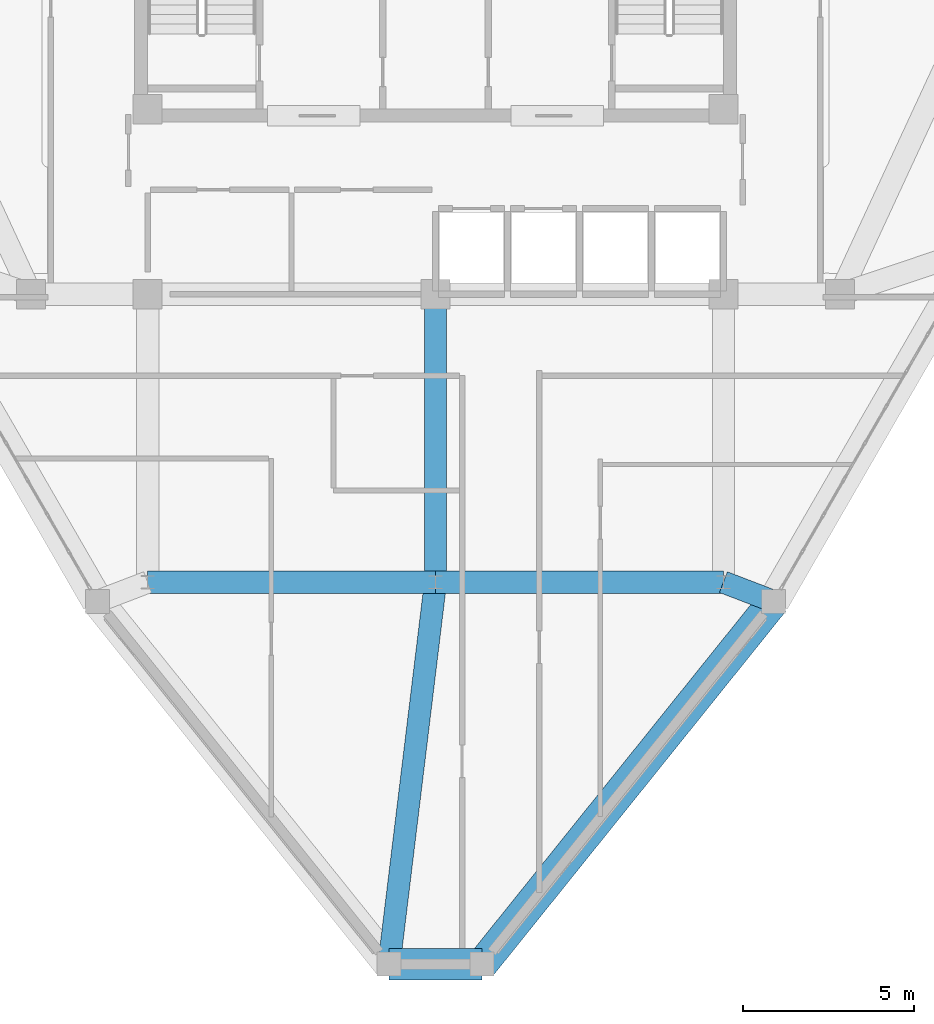
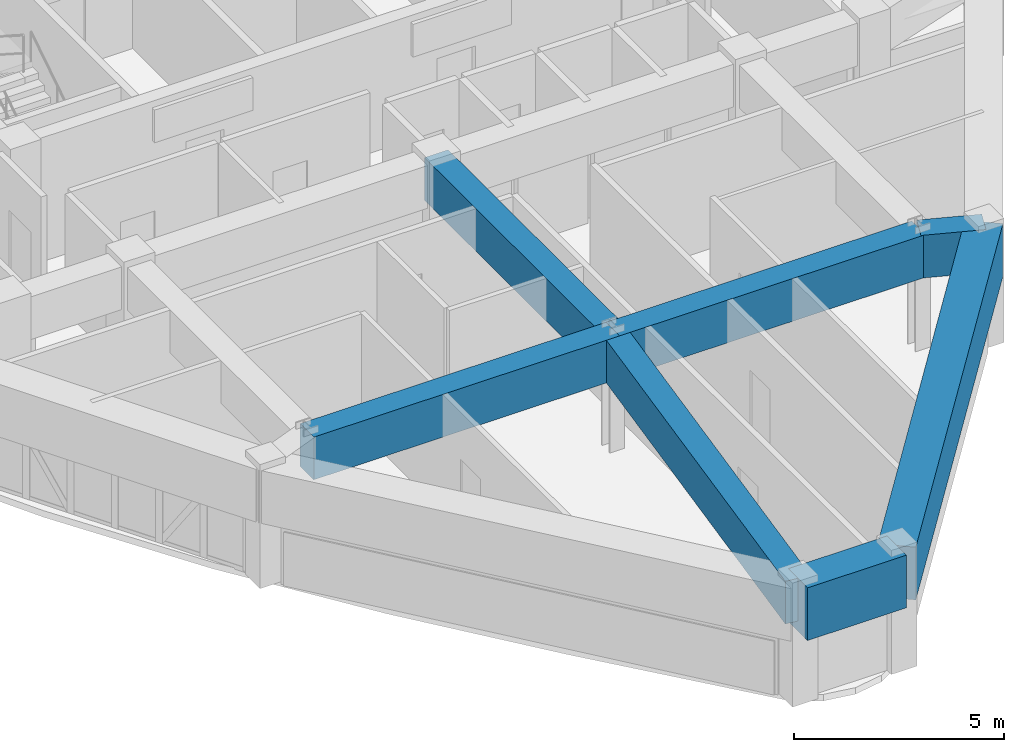
# One storey, part 3 of 14: 7 beams.
"""IFC4 building model written with IfcOpenShell, lengths in metres."""

from ifc_helpers import new_model, si_unit, derived_unit, direction, frame, origin, origin_2d, place, context, subcontext, project, spatial, rectangle, extrude, source, transform, mapped, material, material_profile, profile_set, type_object, element, save


model = new_model("IFC4")

# Units and contexts
model_context = context("Model", 3, precision=1e-05, world=origin(), true_north=direction((0.0, 1.0)))
body_context = subcontext(model_context, "Body", "Model", "MODEL_VIEW")
ifc_project = project(units=[si_unit("LENGTHUNIT", "METRE"), si_unit("AREAUNIT", "SQUARE_METRE"), si_unit("VOLUMEUNIT", "CUBIC_METRE"), si_unit("PLANEANGLEUNIT", "RADIAN"), si_unit("MASSUNIT", "GRAM", prefix="KILO"), derived_unit("THERMALTRANSMITTANCEUNIT", [(si_unit("POWERUNIT", "WATT"), 1), (si_unit("LENGTHUNIT", "METRE"), -2), (si_unit("THERMODYNAMICTEMPERATUREUNIT", "KELVIN"), -1)])], contexts=[model_context])

# Site, building, storey
site_placement = place(None, origin())
site = spatial("IfcSite", under=ifc_project, at=site_placement, CompositionType="ELEMENT")
building_placement = place(site_placement, origin())
building = spatial("IfcBuilding", under=site, at=building_placement, Name="Korsvarv Bourse and Concert Hall", CompositionType="ELEMENT")
storey_placement = place(building_placement, frame((0.0, 0.0, 253.800048828125)))
storey = spatial("IfcBuildingStorey", under=building, at=storey_placement, Name="L66", CompositionType="ELEMENT", Elevation=253.800048828125)

# Beams
ifc_material = material(Name="Concrete C50/60", Category="concrete")
ifc_material_profile_1 = material_profile(ifc_material, rectangle(XDim=0.64990234375, YDim=1.239990234375, at=origin_2d()), Name="RC-BM 650x1240")
ifc_profile_set_1 = profile_set([ifc_material_profile_1], Name="Concrete C50/60")
beam_type_1 = type_object("IfcBeamType", Name="BM-TR-SPN", PredefinedType="BEAM", material=ifc_profile_set_1)
shared_shape_1 = source(origin(), body_context, "Body", "SweptSolid", [
    extrude(rectangle(XDim=0.64990234375, YDim=1.239990234375, at=origin_2d()), origin(), (0.0, 0.0, 1.0), 8.39990234375),
])
for number, where, z_axis, x_axis, name in (
    (1, (27.60009765625, 24.0, 2.7900390625), (1.0, 0.0, 0.0), (0.0, 1.0, 0.0), "L66 beam B-TRS"),
    (2, (36.0, 24.0, 2.7900390625), (1.0, 0.0, 0.0), (0.0, 1.0, 0.0), "L66 beam B-TRS"),
    (3, (36.0, 24.0, 2.7900390625), (0.0, 1.0, 0.0), (-1.0, 0.0, 0.0), "L66 beam B-TRS"),
):
    element("IfcBeam", number, at=place(storey_placement, frame(where, z_axis=z_axis, x_axis=x_axis)), inside=storey, type_object=beam_type_1, Name=name, PredefinedType="BEAM", context=body_context, shape_type="MappedRepresentation", body=[
        mapped(shared_shape_1, transform((0.0, 0.0, 0.0), scale=1.0)),
    ])
ifc_material_profile_2 = material_profile(ifc_material, rectangle(XDim=0.919921875, YDim=1.530029296875, at=origin_2d()), Name="RC-BM 920x1530")
ifc_profile_set_2 = profile_set([ifc_material_profile_2], Name="Concrete C50/60")
beam_type_2 = type_object("IfcBeamType", Name="BM-TR-154", PredefinedType="BEAM", material=ifc_profile_set_2)
shared_shape_2 = source(origin(), body_context, "Body", "SweptSolid", [
    extrude(rectangle(XDim=0.919921875, YDim=1.530029296875, at=origin_2d()), origin(), (0.0, 0.0, 1.0), 2.71337890625),
])
beam_1_placement = place(storey_placement, frame((34.643310546875, 12.851806640625, 2.64501953125), z_axis=(1.0, 0.0, 0.0), x_axis=(0.0, 1.0, 0.0)))
element("IfcBeam", 4, at=beam_1_placement, inside=storey, type_object=beam_type_2, Name="L66 beam B-TR6", PredefinedType="BEAM", context=body_context, shape_type="MappedRepresentation", body=[
    mapped(shared_shape_2, transform((0.0, 0.0, 0.0), scale=1.0)),
])
shared_shape_3 = source(origin(), body_context, "Body", "SweptSolid", [
    extrude(rectangle(XDim=0.919921875, YDim=1.530029296875, at=origin_2d()), origin(), (0.0, 0.0, 1.0), 13.58203125),
])
beam_2_placement = place(storey_placement, frame((37.356689453125, 12.851806640625, 2.64501953125), z_axis=(0.626363997107, 0.779530719811, 0.0), x_axis=(-0.779530719811, 0.626363997107, 0.0)))
element("IfcBeam", 5, at=beam_2_placement, inside=storey, type_object=beam_type_2, Name="L66 beam B-TR6", PredefinedType="BEAM", context=body_context, shape_type="MappedRepresentation", body=[
    mapped(shared_shape_3, transform((0.0, 0.0, 0.0), scale=1.0)),
])
shared_shape_4 = source(origin(), body_context, "Body", "SweptSolid", [
    extrude(rectangle(XDim=0.64990234375, YDim=1.239990234375, at=origin_2d()), origin(), (0.0, 0.0, 1.0), 1.567626953125),
])
beam_3_placement = place(storey_placement, frame((45.864013671875, 23.439453125, 2.7900390625), z_axis=(-0.933894371826, 0.357549020796, 0.0), x_axis=(-0.357549020796, -0.933894371826, 0.0)))
element("IfcBeam", 6, at=beam_3_placement, inside=storey, type_object=beam_type_1, Name="L66 beam B-TRS", PredefinedType="BEAM", context=body_context, shape_type="MappedRepresentation", body=[
    mapped(shared_shape_4, transform((0.0, 0.0, 0.0), scale=1.0)),
])
shared_shape_5 = source(origin(), body_context, "Body", "SweptSolid", [
    extrude(rectangle(XDim=0.64990234375, YDim=1.239990234375, at=origin_2d()), origin(), (0.0, 0.0, 1.0), 11.23046875),
])
beam_4_placement = place(storey_placement, frame((34.643310546875, 12.851806640625, 2.7900390625), z_axis=(0.120804638477, 0.99267630138, 0.0), x_axis=(-0.99267630138, 0.120804638477, 0.0)))
element("IfcBeam", 7, at=beam_4_placement, inside=storey, type_object=beam_type_1, Name="L66 beam B-TRS", PredefinedType="BEAM", context=body_context, shape_type="MappedRepresentation", body=[
    mapped(shared_shape_5, transform((0.0, 0.0, 0.0), scale=1.0)),
])

save(model, "model.ifc")
